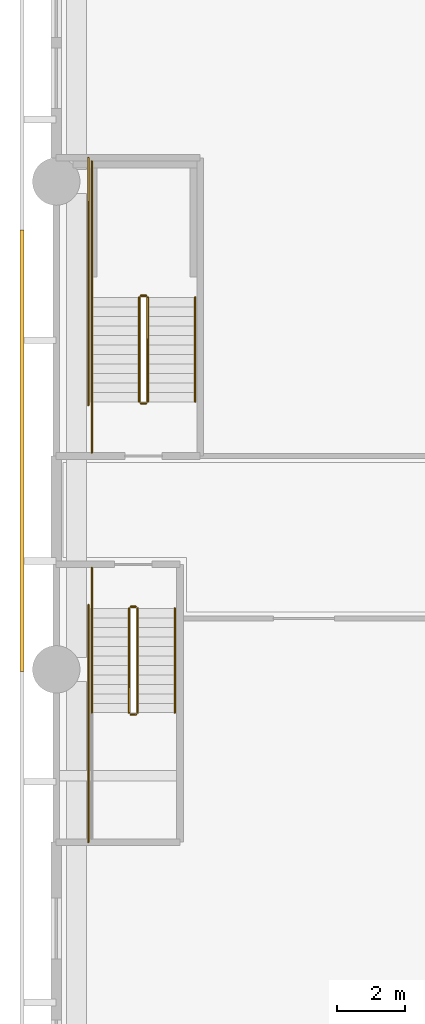
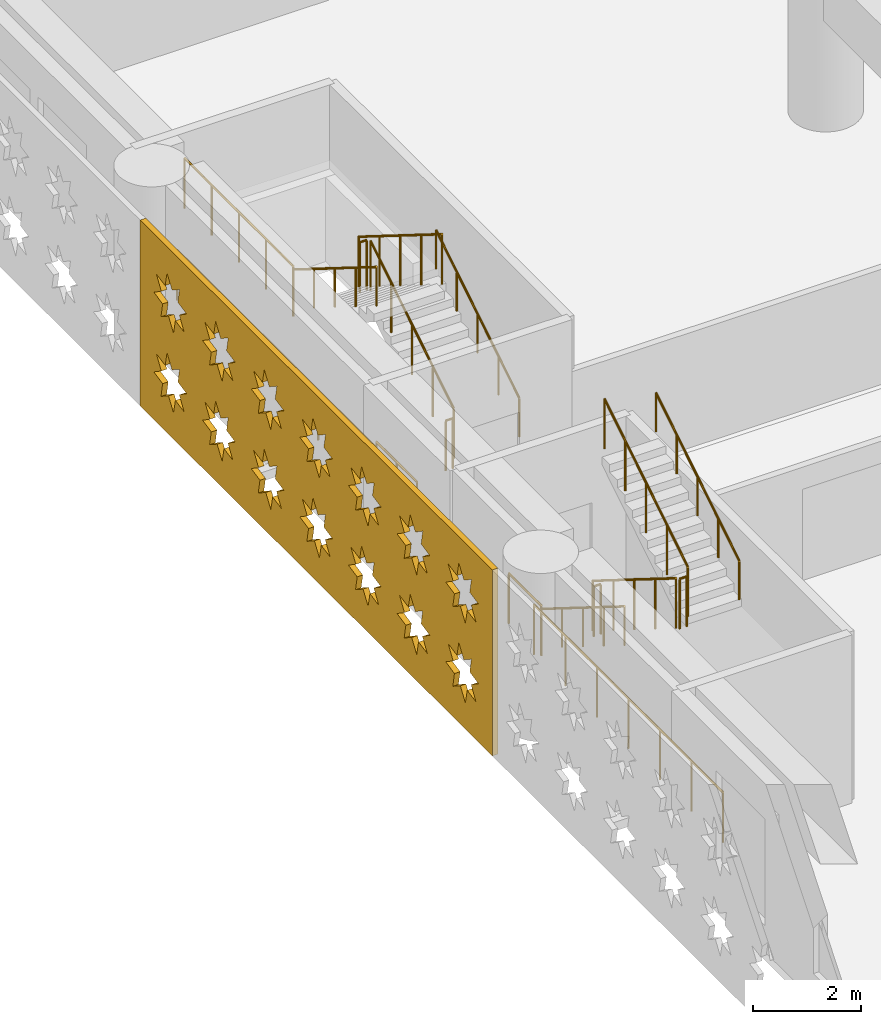
# One storey, part 15 of 24: 17 railings, 1 covering.
"""IFC4 building model written with IfcOpenShell, lengths in metres."""

from ifc_helpers import new_model, si_unit, direction, frame, origin, origin_2d, place, context, subcontext, project, spatial, polyline, circle, outline, extrude, material, layer, layer_set, type_object, element, save


model = new_model("IFC4")

# Units and contexts
model_context = context("Model", 3, precision=1e-05, world=origin(), true_north=direction((0.0, 1.0)))
body_context = subcontext(model_context, "Body", "Model", "MODEL_VIEW")
ifc_project = project(units=[si_unit("LENGTHUNIT", "METRE"), si_unit("AREAUNIT", "SQUARE_METRE"), si_unit("VOLUMEUNIT", "CUBIC_METRE"), si_unit("PLANEANGLEUNIT", "RADIAN"), si_unit("MASSUNIT", "GRAM", prefix="KILO")], contexts=[model_context])

# Site, building, storey
site_placement = place(None, origin())
site = spatial("IfcSite", under=ifc_project, at=site_placement, CompositionType="ELEMENT")
building_placement = place(site_placement, origin())
building = spatial("IfcBuilding", under=site, at=building_placement, Name="Saffron Iwan Residences", CompositionType="ELEMENT")
storey_placement = place(building_placement, frame((0.0, 0.0, 13.199951171875)))
storey = spatial("IfcBuildingStorey", under=building, at=storey_placement, Name="L02", CompositionType="ELEMENT", Elevation=13.199951171875)

# Covering
ifc_material_1 = material(Name="Terracotta screen, precast concrete C40/50", Category="masonry")
ifc_layer = layer(ifc_material_1, 0.1201171875)
ifc_layer_set = layer_set([ifc_layer], Name="Terracotta screen, precast concrete C40/50")
covering_type = type_object("IfcCoveringType", Name="PODIUM SCREEN GIRIH", PredefinedType="CLADDING", material=ifc_layer_set)
covering_placement = place(storey_placement, frame((-0.949951171875, 60.976806640625, -0.39990234375), z_axis=(-1.0, 0.0, 0.0), x_axis=(0.0, -1.0, 0.0)))
element("IfcCovering", 1, at=covering_placement, inside=storey, type_object=covering_type, Name="SCREEN girih terracotta L02 F3.2", PredefinedType="CLADDING", context=body_context, shape_type="SweptSolid", body=[
    extrude(outline(polyline([(0.0, 0.0), (13.03662109375, 0.0), (13.03662109375, 4.199951171875), (0.0, 4.199951171875), (0.0, 0.0)]), holes=[polyline([(1.726318359375, 1.321044921875), (1.40087890625, 1.388916015625), (1.462890625, 1.715576171875), (1.184814453125, 1.533447265625), (0.997314453125, 1.80810546875), (0.929443359375, 1.482666015625), (0.602783203125, 1.54443359375), (0.784912109375, 1.266357421875), (0.51025390625, 1.0791015625), (0.835693359375, 1.010986328125), (0.77392578125, 0.6845703125), (1.052001953125, 0.866455078125), (1.2392578125, 0.591796875), (1.30712890625, 0.917236328125), (1.6337890625, 0.85546875), (1.451904296875, 1.1337890625), (1.726318359375, 1.321044921875)]), polyline([(1.726318359375, 3.12109375), (1.40087890625, 3.18896484375), (1.462890625, 3.515380859375), (1.184814453125, 3.33349609375), (0.997314453125, 3.608154296875), (0.929443359375, 3.28271484375), (0.602783203125, 3.344482421875), (0.784912109375, 3.06640625), (0.51025390625, 2.87890625), (0.835693359375, 2.81103515625), (0.77392578125, 2.484619140625), (1.052001953125, 2.66650390625), (1.2392578125, 2.391845703125), (1.30712890625, 2.71728515625), (1.6337890625, 2.655517578125), (1.451904296875, 2.93359375), (1.726318359375, 3.12109375)]), polyline([(3.5263671875, 1.321044921875), (3.200927734375, 1.388916015625), (3.2626953125, 1.715576171875), (2.984619140625, 1.533447265625), (2.79736328125, 1.80810546875), (2.7294921875, 1.482666015625), (2.40283203125, 1.54443359375), (2.5849609375, 1.266357421875), (2.310302734375, 1.0791015625), (2.635498046875, 1.010986328125), (2.573974609375, 0.6845703125), (2.85205078125, 0.866455078125), (3.039306640625, 0.591796875), (3.107177734375, 0.917236328125), (3.433837890625, 0.85546875), (3.251708984375, 1.1337890625), (3.5263671875, 1.321044921875)]), polyline([(3.5263671875, 3.12109375), (3.200927734375, 3.18896484375), (3.2626953125, 3.515380859375), (2.984619140625, 3.33349609375), (2.79736328125, 3.608154296875), (2.7294921875, 3.28271484375), (2.40283203125, 3.344482421875), (2.5849609375, 3.06640625), (2.310302734375, 2.87890625), (2.635498046875, 2.81103515625), (2.573974609375, 2.484619140625), (2.85205078125, 2.66650390625), (3.039306640625, 2.391845703125), (3.107177734375, 2.71728515625), (3.433837890625, 2.655517578125), (3.251708984375, 2.93359375), (3.5263671875, 3.12109375)]), polyline([(5.326416015625, 1.321044921875), (5.0009765625, 1.388916015625), (5.062744140625, 1.715576171875), (4.78466796875, 1.533447265625), (4.597412109375, 1.80810546875), (4.529296875, 1.482666015625), (4.202880859375, 1.54443359375), (4.385009765625, 1.266357421875), (4.110107421875, 1.0791015625), (4.435546875, 1.010986328125), (4.373779296875, 0.6845703125), (4.652099609375, 0.866455078125), (4.83935546875, 0.591796875), (4.9072265625, 0.917236328125), (5.23388671875, 0.85546875), (5.0517578125, 1.1337890625), (5.326416015625, 1.321044921875)]), polyline([(5.326416015625, 3.12109375), (5.0009765625, 3.18896484375), (5.062744140625, 3.515380859375), (4.78466796875, 3.33349609375), (4.597412109375, 3.608154296875), (4.529296875, 3.28271484375), (4.202880859375, 3.344482421875), (4.385009765625, 3.06640625), (4.110107421875, 2.87890625), (4.435546875, 2.81103515625), (4.373779296875, 2.484619140625), (4.652099609375, 2.66650390625), (4.83935546875, 2.391845703125), (4.9072265625, 2.71728515625), (5.23388671875, 2.655517578125), (5.0517578125, 2.93359375), (5.326416015625, 3.12109375)]), polyline([(7.12646484375, 1.321044921875), (6.801025390625, 1.388916015625), (6.86279296875, 1.715576171875), (6.584716796875, 1.533447265625), (6.3974609375, 1.80810546875), (6.329345703125, 1.482666015625), (6.002685546875, 1.54443359375), (6.184814453125, 1.266357421875), (5.91015625, 1.0791015625), (6.235595703125, 1.010986328125), (6.173828125, 0.6845703125), (6.451904296875, 0.866455078125), (6.639404296875, 0.591796875), (6.707275390625, 0.917236328125), (7.03369140625, 0.85546875), (6.851806640625, 1.1337890625), (7.12646484375, 1.321044921875)]), polyline([(7.12646484375, 3.12109375), (6.801025390625, 3.18896484375), (6.86279296875, 3.515380859375), (6.584716796875, 3.33349609375), (6.3974609375, 3.608154296875), (6.329345703125, 3.28271484375), (6.002685546875, 3.344482421875), (6.184814453125, 3.06640625), (5.91015625, 2.87890625), (6.235595703125, 2.81103515625), (6.173828125, 2.484619140625), (6.451904296875, 2.66650390625), (6.639404296875, 2.391845703125), (6.707275390625, 2.71728515625), (7.03369140625, 2.655517578125), (6.851806640625, 2.93359375), (7.12646484375, 3.12109375)]), polyline([(8.926513671875, 1.321044921875), (8.60107421875, 1.388916015625), (8.662841796875, 1.715576171875), (8.384765625, 1.533447265625), (8.197509765625, 1.80810546875), (8.12939453125, 1.482666015625), (7.802734375, 1.54443359375), (7.98486328125, 1.266357421875), (7.710205078125, 1.0791015625), (8.03564453125, 1.010986328125), (7.973876953125, 0.6845703125), (8.251953125, 0.866455078125), (8.439208984375, 0.591796875), (8.507080078125, 0.917236328125), (8.833740234375, 0.85546875), (8.65185546875, 1.1337890625), (8.926513671875, 1.321044921875)]), polyline([(8.926513671875, 3.12109375), (8.60107421875, 3.18896484375), (8.662841796875, 3.515380859375), (8.384765625, 3.33349609375), (8.197509765625, 3.608154296875), (8.12939453125, 3.28271484375), (7.802734375, 3.344482421875), (7.98486328125, 3.06640625), (7.710205078125, 2.87890625), (8.03564453125, 2.81103515625), (7.973876953125, 2.484619140625), (8.251953125, 2.66650390625), (8.439208984375, 2.391845703125), (8.507080078125, 2.71728515625), (8.833740234375, 2.655517578125), (8.65185546875, 2.93359375), (8.926513671875, 3.12109375)]), polyline([(10.726318359375, 1.321044921875), (10.40087890625, 1.388916015625), (10.462890625, 1.715576171875), (10.184814453125, 1.533447265625), (9.997314453125, 1.80810546875), (9.929443359375, 1.482666015625), (9.602783203125, 1.54443359375), (9.784912109375, 1.266357421875), (9.51025390625, 1.0791015625), (9.835693359375, 1.010986328125), (9.77392578125, 0.6845703125), (10.052001953125, 0.866455078125), (10.2392578125, 0.591796875), (10.30712890625, 0.917236328125), (10.6337890625, 0.85546875), (10.451904296875, 1.1337890625), (10.726318359375, 1.321044921875)]), polyline([(10.726318359375, 3.12109375), (10.40087890625, 3.18896484375), (10.462890625, 3.515380859375), (10.184814453125, 3.33349609375), (9.997314453125, 3.608154296875), (9.929443359375, 3.28271484375), (9.602783203125, 3.344482421875), (9.784912109375, 3.06640625), (9.51025390625, 2.87890625), (9.835693359375, 2.81103515625), (9.77392578125, 2.484619140625), (10.052001953125, 2.66650390625), (10.2392578125, 2.391845703125), (10.30712890625, 2.71728515625), (10.6337890625, 2.655517578125), (10.451904296875, 2.93359375), (10.726318359375, 3.12109375)]), polyline([(12.5263671875, 1.321044921875), (12.200927734375, 1.388916015625), (12.2626953125, 1.715576171875), (11.984619140625, 1.533447265625), (11.79736328125, 1.80810546875), (11.7294921875, 1.482666015625), (11.40283203125, 1.54443359375), (11.5849609375, 1.266357421875), (11.310302734375, 1.0791015625), (11.635498046875, 1.010986328125), (11.573974609375, 0.6845703125), (11.85205078125, 0.866455078125), (12.039306640625, 0.591796875), (12.107177734375, 0.917236328125), (12.433837890625, 0.85546875), (12.251708984375, 1.1337890625), (12.5263671875, 1.321044921875)]), polyline([(12.5263671875, 3.12109375), (12.200927734375, 3.18896484375), (12.2626953125, 3.515380859375), (11.984619140625, 3.33349609375), (11.79736328125, 3.608154296875), (11.7294921875, 3.28271484375), (11.40283203125, 3.344482421875), (11.5849609375, 3.06640625), (11.310302734375, 2.87890625), (11.635498046875, 2.81103515625), (11.573974609375, 2.484619140625), (11.85205078125, 2.66650390625), (12.039306640625, 2.391845703125), (12.107177734375, 2.71728515625), (12.433837890625, 2.655517578125), (12.251708984375, 2.93359375), (12.5263671875, 3.12109375)])]), origin(), (0.0, 0.0, 1.0), 0.1201171875),
])

# Railings
ifc_material_2 = material(Name="Steel S355", Category="steel")
railing_type_1 = type_object("IfcRailingType", Name="Podium stair guard 1150", PredefinedType="GUARDRAIL", material=ifc_material_2)
railing_1_placement = place(storey_placement, frame((2.14990234375, 49.800048828125, 0.175048828125)))
element("IfcRailing", 2, at=railing_1_placement, inside=storey, type_object=railing_type_1, Name="L02 PS1 stair guard 1", PredefinedType="GUARDRAIL", context=body_context, shape_type="SweptSolid", body=[
    extrude(circle(Radius=0.02392578125, at=origin_2d()), frame((0.0, 0.0, 1.1259765625), z_axis=(0.0, -0.847998304005, 0.529998940003), x_axis=(1.0, 0.0, 0.0)), (0.0, 0.0, 1.0), 3.632080078125),
    extrude(circle(Radius=0.02099609375, at=origin_2d()), origin(), (0.0, 0.0, 1.0), 1.101806640625),
    extrude(circle(Radius=0.02099609375, at=origin_2d()), frame((0.0, -0.77001953125, 0.481201171875)), (0.0, 0.0, 1.0), 1.101806640625),
    extrude(circle(Radius=0.02099609375, at=origin_2d()), frame((0.0, -1.5400390625, 0.96240234375)), (0.0, 0.0, 1.0), 1.101806640625),
    extrude(circle(Radius=0.02099609375, at=origin_2d()), frame((0.0, -2.31005859375, 1.44384765625)), (0.0, 0.0, 1.0), 1.101806640625),
    extrude(circle(Radius=0.02099609375, at=origin_2d()), frame((0.0, -3.080078125, 1.925048828125)), (0.0, 0.0, 1.0), 1.101806640625),
])
railing_2_placement = place(storey_placement, frame((2.199951171875, 46.669921875, 2.10009765625)))
element("IfcRailing", 3, at=railing_2_placement, inside=storey, type_object=railing_type_1, Name="L02 PS1 stair guard 2", PredefinedType="GUARDRAIL", context=body_context, shape_type="SweptSolid", body=[
    extrude(circle(Radius=0.02392578125, at=origin_2d()), frame((0.0, 0.0, 1.1259765625), z_axis=(1.0, 0.0, 0.0), x_axis=(0.0, 1.0, 0.0)), (0.0, 0.0, 1.0), 0.150146484375),
    extrude(circle(Radius=0.02099609375, at=origin_2d()), origin(), (0.0, 0.0, 1.0), 1.101806640625),
    extrude(circle(Radius=0.02099609375, at=origin_2d()), frame((0.150146484375, 0.0, 0.0)), (0.0, 0.0, 1.0), 1.101806640625),
])
railing_3_placement = place(storey_placement, frame((2.39990234375, 46.719970703125, 2.275146484375)))
element("IfcRailing", 4, at=railing_3_placement, inside=storey, type_object=railing_type_1, Name="L02 PS1 stair guard 4", PredefinedType="GUARDRAIL", context=body_context, shape_type="SweptSolid", body=[
    extrude(circle(Radius=0.02392578125, at=origin_2d()), frame((0.0, 0.0, 1.1259765625), z_axis=(0.0, 0.848028513186, 0.529950602248), x_axis=(-1.0, 0.0, 0.0)), (0.0, 0.0, 1.0), 3.632080078125),
    extrude(circle(Radius=0.02099609375, at=origin_2d()), origin(), (0.0, 0.0, 1.0), 1.101806640625),
    extrude(circle(Radius=0.02099609375, at=origin_2d()), frame((0.0, 0.77001953125, 0.481201171875)), (0.0, 0.0, 1.0), 1.101806640625),
    extrude(circle(Radius=0.02099609375, at=origin_2d()), frame((0.0, 1.5400390625, 0.96240234375)), (0.0, 0.0, 1.0), 1.101806640625),
    extrude(circle(Radius=0.02099609375, at=origin_2d()), frame((0.0, 2.31005859375, 1.443603515625)), (0.0, 0.0, 1.0), 1.101806640625),
    extrude(circle(Radius=0.02099609375, at=origin_2d()), frame((0.0, 3.080078125, 1.9248046875)), (0.0, 0.0, 1.0), 1.101806640625),
])
railing_4_placement = place(storey_placement, frame((2.199951171875, 49.85009765625, 0.0)))
element("IfcRailing", 5, at=railing_4_placement, inside=storey, type_object=railing_type_1, Name="L02 PS1 stair guard 5", PredefinedType="GUARDRAIL", context=body_context, shape_type="SweptSolid", body=[
    extrude(circle(Radius=0.02392578125, at=origin_2d()), frame((0.0, 0.0, 1.1259765625), z_axis=(1.0, 0.0, 0.0), x_axis=(0.0, 1.0, 0.0)), (0.0, 0.0, 1.0), 0.150146484375),
    extrude(circle(Radius=0.02099609375, at=origin_2d()), origin(), (0.0, 0.0, 1.0), 1.101806640625),
    extrude(circle(Radius=0.02099609375, at=origin_2d()), frame((0.150146484375, 0.0, 0.0)), (0.0, 0.0, 1.0), 1.101806640625),
])
railing_5_placement = place(storey_placement, frame((1.050048828125, 51.0, 0.0)))
element("IfcRailing", 6, at=railing_5_placement, inside=storey, type_object=railing_type_1, Name="L02 PS1 stair guard 6", PredefinedType="GUARDRAIL", context=body_context, shape_type="SweptSolid", body=[
    extrude(circle(Radius=0.02392578125, at=origin_2d()), frame((0.0, 0.0, 1.1259765625), z_axis=(0.0, -1.0, 0.0), x_axis=(1.0, 0.0, 0.0)), (0.0, 0.0, 1.0), 1.199951171875),
    extrude(circle(Radius=0.02099609375, at=origin_2d()), origin(), (0.0, 0.0, 1.0), 1.101806640625),
    extrude(circle(Radius=0.02099609375, at=origin_2d()), frame((0.0, -1.199951171875, 0.0)), (0.0, 0.0, 1.0), 1.101806640625),
])
railing_6_placement = place(storey_placement, frame((0.949951171875, 49.89990234375, 0.0)))
element("IfcRailing", 7, at=railing_6_placement, inside=storey, type_object=railing_type_1, Name="L02 PS1 stair guard 7", PredefinedType="GUARDRAIL", context=body_context, shape_type="SweptSolid", body=[
    extrude(circle(Radius=0.02392578125, at=origin_2d()), frame((0.0, 0.0, 1.1259765625), z_axis=(0.0, -1.0, 0.0), x_axis=(1.0, 0.0, 0.0)), (0.0, 0.0, 1.0), 7.0),
    extrude(circle(Radius=0.02099609375, at=origin_2d()), origin(), (0.0, 0.0, 1.0), 1.101806640625),
    extrude(circle(Radius=0.02099609375, at=origin_2d()), frame((0.0, -1.166748046875, 0.0)), (0.0, 0.0, 1.0), 1.101806640625),
    extrude(circle(Radius=0.02099609375, at=origin_2d()), frame((0.0, -2.333251953125, 0.0)), (0.0, 0.0, 1.0), 1.101806640625),
    extrude(circle(Radius=0.02099609375, at=origin_2d()), frame((0.0, -3.5, 0.0)), (0.0, 0.0, 1.0), 1.101806640625),
    extrude(circle(Radius=0.02099609375, at=origin_2d()), frame((0.0, -4.666748046875, 0.0)), (0.0, 0.0, 1.0), 1.101806640625),
    extrude(circle(Radius=0.02099609375, at=origin_2d()), frame((0.0, -5.833251953125, 0.0)), (0.0, 0.0, 1.0), 1.101806640625),
    extrude(circle(Radius=0.02099609375, at=origin_2d()), frame((0.0, -7.0, 0.0)), (0.0, 0.0, 1.0), 1.101806640625),
])
railing_7_placement = place(storey_placement, frame((2.699951171875, 55.89990234375, 0.175048828125)))
element("IfcRailing", 8, at=railing_7_placement, inside=storey, type_object=railing_type_1, Name="L02 PS3 stair guard 1", PredefinedType="GUARDRAIL", context=body_context, shape_type="SweptSolid", body=[
    extrude(circle(Radius=0.02392578125, at=origin_2d()), frame((0.0, 0.0, 1.1259765625), z_axis=(0.0, 0.847998304005, 0.529998940003), x_axis=(-1.0, 0.0, 0.0)), (0.0, 0.0, 1.0), 3.632080078125),
    extrude(circle(Radius=0.02099609375, at=origin_2d()), origin(), (0.0, 0.0, 1.0), 1.101806640625),
    extrude(circle(Radius=0.02099609375, at=origin_2d()), frame((0.0, 0.77001953125, 0.481201171875)), (0.0, 0.0, 1.0), 1.101806640625),
    extrude(circle(Radius=0.02099609375, at=origin_2d()), frame((0.0, 1.5400390625, 0.96240234375)), (0.0, 0.0, 1.0), 1.101806640625),
    extrude(circle(Radius=0.02099609375, at=origin_2d()), frame((0.0, 2.31005859375, 1.44384765625)), (0.0, 0.0, 1.0), 1.101806640625),
    extrude(circle(Radius=0.02099609375, at=origin_2d()), frame((0.0, 3.080078125, 1.925048828125)), (0.0, 0.0, 1.0), 1.101806640625),
])
railing_8_placement = place(storey_placement, frame((2.64990234375, 59.030029296875, 2.10009765625)))
element("IfcRailing", 9, at=railing_8_placement, inside=storey, type_object=railing_type_1, Name="L02 PS3 stair guard 2", PredefinedType="GUARDRAIL", context=body_context, shape_type="SweptSolid", body=[
    extrude(circle(Radius=0.02392578125, at=origin_2d()), frame((0.0, 0.0, 1.1259765625), z_axis=(-1.0, 0.0, 0.0), x_axis=(0.0, -1.0, 0.0)), (0.0, 0.0, 1.0), 0.14990234375),
    extrude(circle(Radius=0.02099609375, at=origin_2d()), origin(), (0.0, 0.0, 1.0), 1.101806640625),
    extrude(circle(Radius=0.02099609375, at=origin_2d()), frame((-0.14990234375, 0.0, 0.0)), (0.0, 0.0, 1.0), 1.101806640625),
])
railing_9_placement = place(storey_placement, frame((1.050048828125, 58.97998046875, 2.10009765625)))
element("IfcRailing", 10, at=railing_9_placement, inside=storey, type_object=railing_type_1, Name="L02 PS3 stair guard 3", PredefinedType="GUARDRAIL", context=body_context, shape_type="SweptSolid", body=[
    extrude(circle(Radius=0.02392578125, at=origin_2d()), frame((0.0, 0.0, 1.1259765625), z_axis=(0.0, 1.0, 0.0), x_axis=(-1.0, 0.0, 0.0)), (0.0, 0.0, 1.0), 4.02001953125),
    extrude(circle(Radius=0.02099609375, at=origin_2d()), origin(), (0.0, 0.0, 1.0), 1.101806640625),
    extrude(circle(Radius=0.02099609375, at=origin_2d()), frame((0.0, 1.0048828125, 0.0)), (0.0, 0.0, 1.0), 1.101806640625),
    extrude(circle(Radius=0.02099609375, at=origin_2d()), frame((0.0, 2.010009765625, 0.0)), (0.0, 0.0, 1.0), 1.101806640625),
    extrude(circle(Radius=0.02099609375, at=origin_2d()), frame((0.0, 3.01513671875, 0.0)), (0.0, 0.0, 1.0), 1.101806640625),
    extrude(circle(Radius=0.02099609375, at=origin_2d()), frame((0.0, 4.02001953125, 0.0)), (0.0, 0.0, 1.0), 1.101806640625),
])
railing_10_placement = place(storey_placement, frame((2.449951171875, 58.97998046875, 2.275146484375)))
element("IfcRailing", 11, at=railing_10_placement, inside=storey, type_object=railing_type_1, Name="L02 PS3 stair guard 4", PredefinedType="GUARDRAIL", context=body_context, shape_type="SweptSolid", body=[
    extrude(circle(Radius=0.02392578125, at=origin_2d()), frame((0.0, 0.0, 1.1259765625), z_axis=(0.0, -0.848028513186, 0.529950602248), x_axis=(1.0, 0.0, 0.0)), (0.0, 0.0, 1.0), 3.632080078125),
    extrude(circle(Radius=0.02099609375, at=origin_2d()), origin(), (0.0, 0.0, 1.0), 1.101806640625),
    extrude(circle(Radius=0.02099609375, at=origin_2d()), frame((0.0, -0.77001953125, 0.481201171875)), (0.0, 0.0, 1.0), 1.101806640625),
    extrude(circle(Radius=0.02099609375, at=origin_2d()), frame((0.0, -1.5400390625, 0.96240234375)), (0.0, 0.0, 1.0), 1.101806640625),
    extrude(circle(Radius=0.02099609375, at=origin_2d()), frame((0.0, -2.31005859375, 1.443603515625)), (0.0, 0.0, 1.0), 1.101806640625),
    extrude(circle(Radius=0.02099609375, at=origin_2d()), frame((0.0, -3.080078125, 1.9248046875)), (0.0, 0.0, 1.0), 1.101806640625),
])
railing_11_placement = place(storey_placement, frame((2.64990234375, 55.85009765625, 0.0)))
element("IfcRailing", 12, at=railing_11_placement, inside=storey, type_object=railing_type_1, Name="L02 PS3 stair guard 5", PredefinedType="GUARDRAIL", context=body_context, shape_type="SweptSolid", body=[
    extrude(circle(Radius=0.02392578125, at=origin_2d()), frame((0.0, 0.0, 1.1259765625), z_axis=(-1.0, 0.0, 0.0), x_axis=(0.0, -1.0, 0.0)), (0.0, 0.0, 1.0), 0.14990234375),
    extrude(circle(Radius=0.02099609375, at=origin_2d()), origin(), (0.0, 0.0, 1.0), 1.101806640625),
    extrude(circle(Radius=0.02099609375, at=origin_2d()), frame((-0.14990234375, 0.0, 0.0)), (0.0, 0.0, 1.0), 1.101806640625),
])
railing_12_placement = place(storey_placement, frame((1.050048828125, 54.39990234375, 0.0)))
element("IfcRailing", 13, at=railing_12_placement, inside=storey, type_object=railing_type_1, Name="L02 PS3 stair guard 6", PredefinedType="GUARDRAIL", context=body_context, shape_type="SweptSolid", body=[
    extrude(circle(Radius=0.02392578125, at=origin_2d()), frame((0.0, 0.0, 1.1259765625), z_axis=(0.0, 1.0, 0.0), x_axis=(-1.0, 0.0, 0.0)), (0.0, 0.0, 1.0), 1.5),
    extrude(circle(Radius=0.02099609375, at=origin_2d()), origin(), (0.0, 0.0, 1.0), 1.101806640625),
    extrude(circle(Radius=0.02099609375, at=origin_2d()), frame((0.0, 0.75, 0.0)), (0.0, 0.0, 1.0), 1.101806640625),
    extrude(circle(Radius=0.02099609375, at=origin_2d()), frame((0.0, 1.5, 0.0)), (0.0, 0.0, 1.0), 1.101806640625),
])
railing_13_placement = place(storey_placement, frame((0.949951171875, 55.800048828125, 0.0)))
element("IfcRailing", 14, at=railing_13_placement, inside=storey, type_object=railing_type_1, Name="L02 PS3 stair guard 7", PredefinedType="GUARDRAIL", context=body_context, shape_type="SweptSolid", body=[
    extrude(circle(Radius=0.02392578125, at=origin_2d()), frame((0.0, 0.0, 1.1259765625), z_axis=(0.0, 1.0, 0.0), x_axis=(-1.0, 0.0, 0.0)), (0.0, 0.0, 1.0), 7.300048828125),
    extrude(circle(Radius=0.02099609375, at=origin_2d()), origin(), (0.0, 0.0, 1.0), 1.101806640625),
    extrude(circle(Radius=0.02099609375, at=origin_2d()), frame((0.0, 1.04296875, 0.0)), (0.0, 0.0, 1.0), 1.101806640625),
    extrude(circle(Radius=0.02099609375, at=origin_2d()), frame((0.0, 2.085693359375, 0.0)), (0.0, 0.0, 1.0), 1.101806640625),
    extrude(circle(Radius=0.02099609375, at=origin_2d()), frame((0.0, 3.128662109375, 0.0)), (0.0, 0.0, 1.0), 1.101806640625),
    extrude(circle(Radius=0.02099609375, at=origin_2d()), frame((0.0, 4.17138671875, 0.0)), (0.0, 0.0, 1.0), 1.101806640625),
    extrude(circle(Radius=0.02099609375, at=origin_2d()), frame((0.0, 5.21435546875, 0.0)), (0.0, 0.0, 1.0), 1.101806640625),
    extrude(circle(Radius=0.02099609375, at=origin_2d()), frame((0.0, 6.257080078125, 0.0)), (0.0, 0.0, 1.0), 1.101806640625),
    extrude(circle(Radius=0.02099609375, at=origin_2d()), frame((0.0, 7.300048828125, 0.0)), (0.0, 0.0, 1.0), 1.101806640625),
])
railing_type_2 = type_object("IfcRailingType", Name="Podium stair handrail 900", PredefinedType="HANDRAIL", material=ifc_material_2)
railing_14_placement = place(storey_placement, frame((1.050048828125, 49.800048828125, 0.175048828125)))
element("IfcRailing", 15, at=railing_14_placement, inside=storey, type_object=railing_type_2, Name="L02 PS1 stair handrail 1", PredefinedType="HANDRAIL", context=body_context, shape_type="SweptSolid", body=[
    extrude(circle(Radius=0.02392578125, at=origin_2d()), frame((0.0, 0.0, 0.8759765625), z_axis=(0.0, -0.847998304005, 0.529998940003), x_axis=(1.0, 0.0, 0.0)), (0.0, 0.0, 1.0), 3.632080078125),
    extrude(circle(Radius=0.02099609375, at=origin_2d()), origin(), (0.0, 0.0, 1.0), 0.851806640625),
    extrude(circle(Radius=0.02099609375, at=origin_2d()), frame((0.0, -0.77001953125, 0.481201171875)), (0.0, 0.0, 1.0), 0.851806640625),
    extrude(circle(Radius=0.02099609375, at=origin_2d()), frame((0.0, -1.5400390625, 0.96240234375)), (0.0, 0.0, 1.0), 0.851806640625),
    extrude(circle(Radius=0.02099609375, at=origin_2d()), frame((0.0, -2.31005859375, 1.44384765625)), (0.0, 0.0, 1.0), 0.851806640625),
    extrude(circle(Radius=0.02099609375, at=origin_2d()), frame((0.0, -3.080078125, 1.925048828125)), (0.0, 0.0, 1.0), 0.851806640625),
])
railing_15_placement = place(storey_placement, frame((3.5, 46.719970703125, 2.275146484375)))
element("IfcRailing", 16, at=railing_15_placement, inside=storey, type_object=railing_type_2, Name="L02 PS1 stair handrail 2", PredefinedType="HANDRAIL", context=body_context, shape_type="SweptSolid", body=[
    extrude(circle(Radius=0.02392578125, at=origin_2d()), frame((0.0, 0.0, 0.8759765625), z_axis=(0.0, 0.848028513186, 0.529950602248), x_axis=(-1.0, 0.0, 0.0)), (0.0, 0.0, 1.0), 3.632080078125),
    extrude(circle(Radius=0.02099609375, at=origin_2d()), origin(), (0.0, 0.0, 1.0), 0.851806640625),
    extrude(circle(Radius=0.02099609375, at=origin_2d()), frame((0.0, 0.77001953125, 0.481201171875)), (0.0, 0.0, 1.0), 0.851806640625),
    extrude(circle(Radius=0.02099609375, at=origin_2d()), frame((0.0, 1.5400390625, 0.96240234375)), (0.0, 0.0, 1.0), 0.851806640625),
    extrude(circle(Radius=0.02099609375, at=origin_2d()), frame((0.0, 2.31005859375, 1.443603515625)), (0.0, 0.0, 1.0), 0.851806640625),
    extrude(circle(Radius=0.02099609375, at=origin_2d()), frame((0.0, 3.080078125, 1.9248046875)), (0.0, 0.0, 1.0), 0.851806640625),
])
railing_16_placement = place(storey_placement, frame((4.10009765625, 55.89990234375, 0.175048828125)))
element("IfcRailing", 17, at=railing_16_placement, inside=storey, type_object=railing_type_2, Name="L02 PS3 stair handrail 1", PredefinedType="HANDRAIL", context=body_context, shape_type="SweptSolid", body=[
    extrude(circle(Radius=0.02392578125, at=origin_2d()), frame((0.0, 0.0, 0.8759765625), z_axis=(0.0, 0.847998304005, 0.529998940003), x_axis=(-1.0, 0.0, 0.0)), (0.0, 0.0, 1.0), 3.632080078125),
    extrude(circle(Radius=0.02099609375, at=origin_2d()), origin(), (0.0, 0.0, 1.0), 0.851806640625),
    extrude(circle(Radius=0.02099609375, at=origin_2d()), frame((0.0, 0.77001953125, 0.481201171875)), (0.0, 0.0, 1.0), 0.851806640625),
    extrude(circle(Radius=0.02099609375, at=origin_2d()), frame((0.0, 1.5400390625, 0.96240234375)), (0.0, 0.0, 1.0), 0.851806640625),
    extrude(circle(Radius=0.02099609375, at=origin_2d()), frame((0.0, 2.31005859375, 1.44384765625)), (0.0, 0.0, 1.0), 0.851806640625),
    extrude(circle(Radius=0.02099609375, at=origin_2d()), frame((0.0, 3.080078125, 1.925048828125)), (0.0, 0.0, 1.0), 0.851806640625),
])
railing_17_placement = place(storey_placement, frame((1.050048828125, 58.97998046875, 2.275146484375)))
element("IfcRailing", 18, at=railing_17_placement, inside=storey, type_object=railing_type_2, Name="L02 PS3 stair handrail 2", PredefinedType="HANDRAIL", context=body_context, shape_type="SweptSolid", body=[
    extrude(circle(Radius=0.02392578125, at=origin_2d()), frame((0.0, 0.0, 0.8759765625), z_axis=(0.0, -0.848028513186, 0.529950602248), x_axis=(1.0, 0.0, 0.0)), (0.0, 0.0, 1.0), 3.632080078125),
    extrude(circle(Radius=0.02099609375, at=origin_2d()), origin(), (0.0, 0.0, 1.0), 0.851806640625),
    extrude(circle(Radius=0.02099609375, at=origin_2d()), frame((0.0, -0.77001953125, 0.481201171875)), (0.0, 0.0, 1.0), 0.851806640625),
    extrude(circle(Radius=0.02099609375, at=origin_2d()), frame((0.0, -1.5400390625, 0.96240234375)), (0.0, 0.0, 1.0), 0.851806640625),
    extrude(circle(Radius=0.02099609375, at=origin_2d()), frame((0.0, -2.31005859375, 1.443603515625)), (0.0, 0.0, 1.0), 0.851806640625),
    extrude(circle(Radius=0.02099609375, at=origin_2d()), frame((0.0, -3.080078125, 1.9248046875)), (0.0, 0.0, 1.0), 0.851806640625),
])

save(model, "model.ifc")
